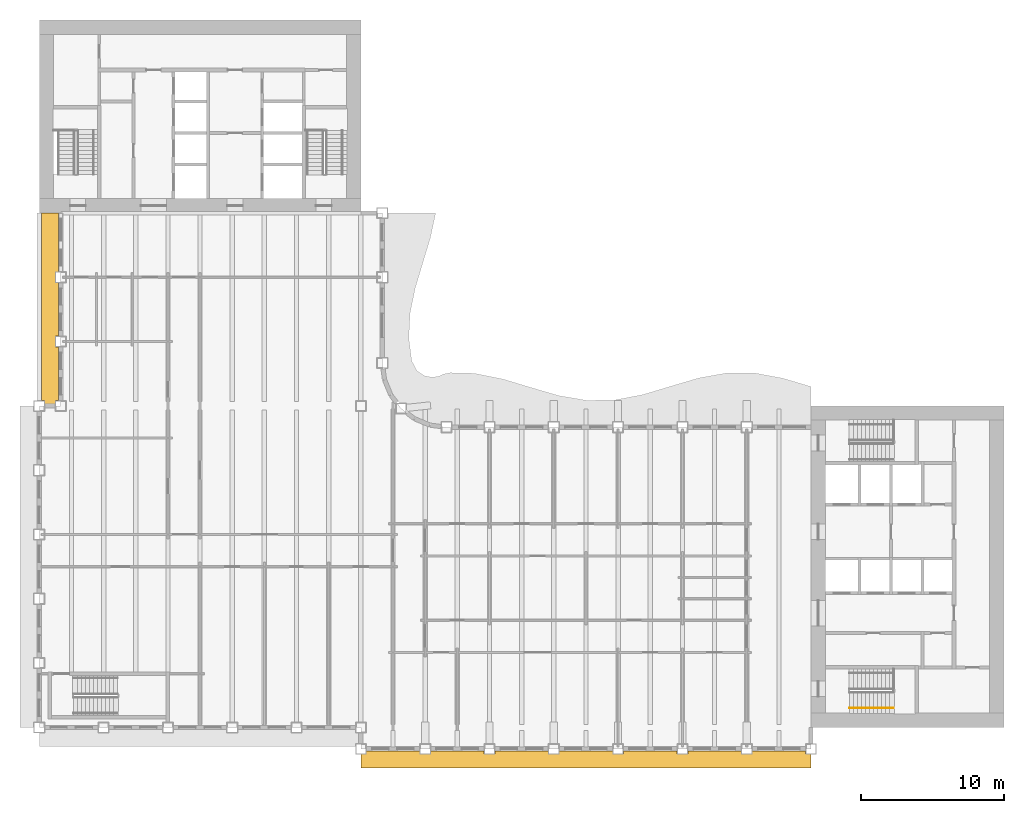
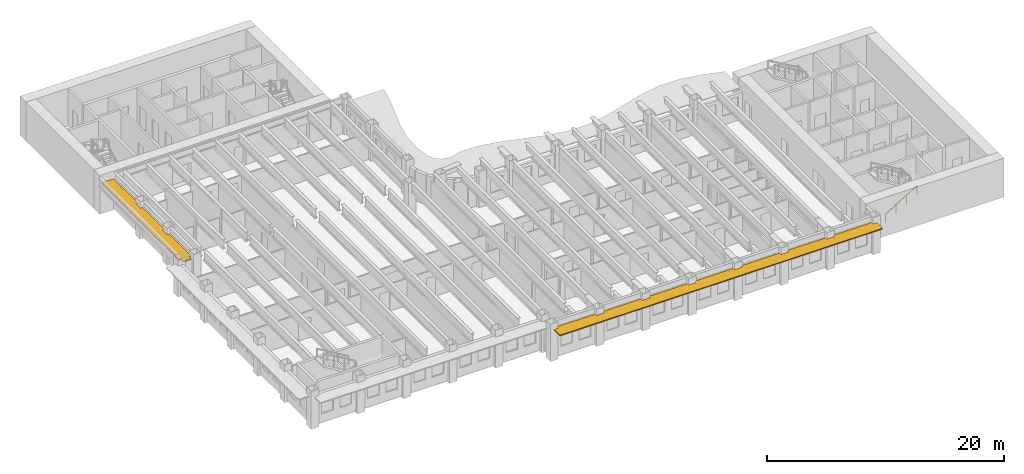
# One storey, part 12 of 16: 2 shading devices, 1 railing.
"""IFC4 building model written with IfcOpenShell, lengths in metres."""

from ifc_helpers import new_model, si_unit, direction, frame, origin, origin_2d, place, context, subcontext, project, spatial, polyline, rectangle, outline, extrude, material, layer, layer_set, type_object, element, save


model = new_model("IFC4")

# Units and contexts
model_context = context("Model", 3, precision=1e-05, world=origin(), true_north=direction((0.0, 1.0)))
body_context = subcontext(model_context, "Body", "Model", "MODEL_VIEW")
ifc_project = project(units=[si_unit("LENGTHUNIT", "METRE"), si_unit("AREAUNIT", "SQUARE_METRE"), si_unit("VOLUMEUNIT", "CUBIC_METRE"), si_unit("PLANEANGLEUNIT", "RADIAN"), si_unit("MASSUNIT", "GRAM", prefix="KILO")], contexts=[model_context])

# Site, building, storey
site_placement = place(None, origin())
site = spatial("IfcSite", under=ifc_project, at=site_placement, CompositionType="ELEMENT")
building_placement = place(site_placement, origin())
building = spatial("IfcBuilding", under=site, at=building_placement, Name="Sennacour Bend Tower", CompositionType="ELEMENT")
storey_placement = place(building_placement, frame((0.0, 0.0, 239.0)))
storey = spatial("IfcBuildingStorey", under=building, at=storey_placement, Name="L55", CompositionType="ELEMENT", Elevation=239.0)

# Railing
ifc_material_1 = material(Name="Stainless steel", Category="steel")
railing_type = type_object("IfcRailingType", Name="RL-HANDRAIL-900", PredefinedType="HANDRAIL", material=ifc_material_1)
railing_placement = place(storey_placement, frame((56.699951171875, 1.35009765625, 0.166748046875)))
element("IfcRailing", 1, at=railing_placement, inside=storey, type_object=railing_type, Name="L55 SA1 stair handrail 1", PredefinedType="HANDRAIL", context=body_context, shape_type="SweptSolid", body=[
    extrude(rectangle(XDim=0.048095703125, YDim=0.048095703125, at=origin_2d()), frame((0.0, 0.0, 0.8759765625), z_axis=(0.859308565015, 0.0, 0.511457515432), x_axis=(0.0, 1.0, 0.0)), (0.0, 0.0, 1.0), 3.58447265625),
    extrude(rectangle(XDim=0.0419921875, YDim=0.0419921875, at=origin_2d()), origin(), (0.0, 0.0, 1.0), 0.851806640625),
    extrude(rectangle(XDim=0.0419921875, YDim=0.0419921875, at=origin_2d()), frame((1.026611328125, 0.0, 0.611083984375)), (0.0, 0.0, 1.0), 0.851806640625),
    extrude(rectangle(XDim=0.0419921875, YDim=0.0419921875, at=origin_2d()), frame((2.053466796875, 0.0, 1.22216796875)), (0.0, 0.0, 1.0), 0.851806640625),
    extrude(rectangle(XDim=0.0419921875, YDim=0.0419921875, at=origin_2d()), frame((3.080078125, 0.0, 1.833251953125)), (0.0, 0.0, 1.0), 0.851806640625),
])

# Shading devices
ifc_material_2 = material(Name="Bronze anodised aluminium", Category="aluminium")
ifc_layer = layer(ifc_material_2, 0.10009765625, Name="Bronze anodised aluminium", Category="aluminium")
ifc_layer_set = layer_set([ifc_layer], Name="Bronze anodised aluminium")
shading_device_type = type_object("IfcShadingDeviceType", Name="SUNSHADE BAND STRAIGHT", PredefinedType="USERDEFINED", material=ifc_layer_set)
shading_device_1_placement = place(storey_placement, frame((0.0, 0.0, 2.95703125)))
element("IfcShadingDevice", 2, at=shading_device_1_placement, inside=storey, type_object=shading_device_type, Name="Sunshade band L55 A outer face", ObjectType="SUNSHADE", PredefinedType="USERDEFINED", context=body_context, shape_type="SweptSolid", body=[
    extrude(outline(polyline([(26.625, -1.64990234375), (26.625, -1.875), (27.375, -1.875), (27.375, -1.64990234375), (31.125, -1.64990234375), (31.125, -1.875), (31.875, -1.875), (31.875, -1.64990234375), (35.625, -1.64990234375), (35.625, -1.875), (36.375, -1.875), (36.375, -1.64990234375), (40.125, -1.64990234375), (40.125, -1.875), (40.875, -1.875), (40.875, -1.64990234375), (44.625, -1.64990234375), (44.625, -1.875), (45.375, -1.875), (45.375, -1.64990234375), (49.125, -1.64990234375), (49.125, -1.875), (49.875, -1.875), (49.875, -1.64990234375), (53.625, -1.64990234375), (53.625, -1.875), (54.0, -1.875), (54.0, -2.85009765625), (22.5, -2.85009765625), (22.5, -1.875), (22.875, -1.875), (22.875, -1.64990234375), (26.625, -1.64990234375)])), origin(), (0.0, 0.0, 1.0), 0.099853515625),
])
shading_device_2_placement = place(storey_placement, frame((0.0, 0.0, 2.95703125)))
element("IfcShadingDevice", 3, at=shading_device_2_placement, inside=storey, type_object=shading_device_type, Name="Sunshade band L55 B outer face", ObjectType="SUNSHADE", PredefinedType="USERDEFINED", context=body_context, shape_type="SweptSolid", body=[
    extrude(outline(polyline([(1.35009765625, 31.875), (1.125, 31.875), (1.125, 31.125), (1.35009765625, 31.125), (1.35009765625, 27.375), (1.125, 27.375), (1.125, 26.625), (1.35009765625, 26.625), (1.35009765625, 22.875), (1.125, 22.875), (1.125, 22.5), (0.375, 22.5), (0.375, 22.875), (0.14990234375, 22.875), (0.14990234375, 36.0), (1.35009765625, 36.0), (1.35009765625, 31.875)])), origin(), (0.0, 0.0, 1.0), 0.099853515625),
])

save(model, "model.ifc")
